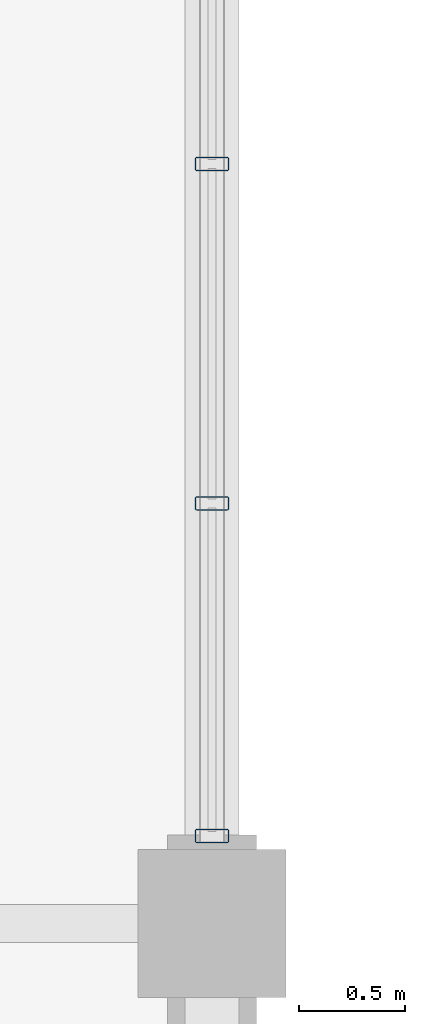
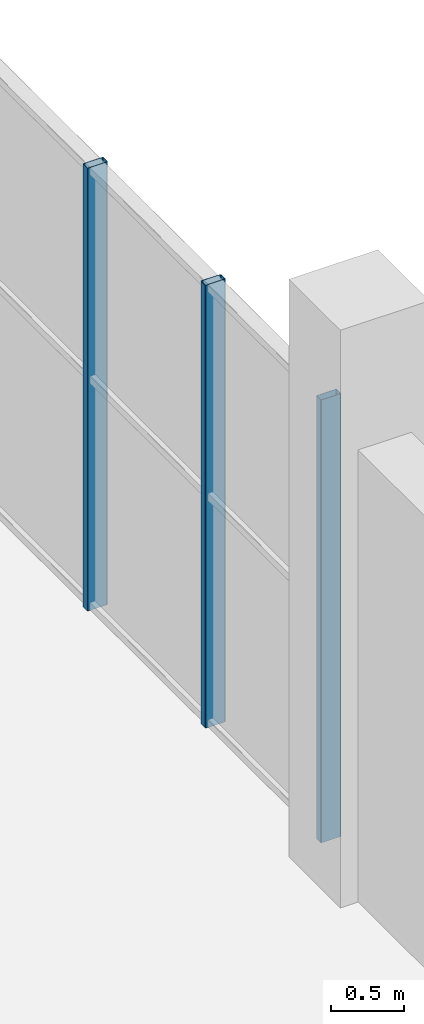
# One storey, part 59 of 114: 3 members, 1 element without a shape of its own.
"""IFC4 building model written with IfcOpenShell, lengths in metres."""

import ifcopenshell
import ifcopenshell.guid

model = None  # the IFC model being written
_history = None  # IfcOwnerHistory: only IFC2X3 demands one
_inside = {}  # id of a spatial element -> (the spatial element, [elements in it])
_under = {}  # id of a project, library or spatial element -> (it, [spatial elements below it])
_declared = {}  # id of a project -> (the project, [libraries it declares])
_typed = {}  # id of a type object -> (the type object, [elements of that type])
_made_of = {}  # id of a material, layer set ... -> (it, [elements and type objects made of it])


def new_model(schema):
    """Start an empty IFC model of exactly this schema.

    Asked for "IFC4X3", IfcOpenShell would pick the latest addendum, in which some entities
    have other attributes; the version numbers below select the first issue.
    IFC2X3 requires an IfcOwnerHistory on every rooted entity: one is made here for all.
    """
    global model, _history
    if schema == "IFC4X3":
        model = ifcopenshell.file(schema_version=(4, 3, 0, 0))
    else:
        model = ifcopenshell.file(schema=schema)
    _inside.clear()
    _under.clear()
    _declared.clear()
    _typed.clear()
    _made_of.clear()
    _history = None
    if model.schema == "IFC2X3":
        org = make("IfcOrganization", Name="unknown")
        user = make(
            "IfcPersonAndOrganization",
            ThePerson=make("IfcPerson", FamilyName="unknown"),
            TheOrganization=org,
        )
        app = make(
            "IfcApplication",
            ApplicationDeveloper=org,
            Version="unknown",
            ApplicationFullName="unknown",
            ApplicationIdentifier="unknown",
        )
        _history = make(
            "IfcOwnerHistory",
            OwningUser=user,
            OwningApplication=app,
            ChangeAction="ADDED",
            CreationDate=0,
        )
    return model


def make(cls, **values):
    """One entity of the class cls with the attributes given. An attribute that is None is left unset."""
    return model.create_entity(
        cls, **{name: value for name, value in values.items() if value is not None}
    )


def rooted(cls, **values):
    """An entity with a GlobalId (a new one), such as an element, a storey or a relation."""
    return make(cls, GlobalId=ifcopenshell.guid.new(), OwnerHistory=_history, **values)


def si_unit(unit_type, name, prefix=None):
    """IfcSIUnit, for example si_unit("LENGTHUNIT", "METRE", prefix="MILLI")."""
    return make("IfcSIUnit", UnitType=unit_type, Prefix=prefix, Name=name)


def assignment(units):
    """IfcUnitAssignment: the units of a project."""
    return None if units is None else make("IfcUnitAssignment", Units=units)


def point(xyz):
    """IfcCartesianPoint."""
    return None if xyz is None else make("IfcCartesianPoint", Coordinates=xyz)


def direction(xyz):
    """IfcDirection."""
    return None if xyz is None else make("IfcDirection", DirectionRatios=xyz)


def frame(location, z_axis=None, x_axis=None):
    """IfcAxis2Placement3D, a coordinate frame: its origin and axes. An axis left out is left unset."""
    return make(
        "IfcAxis2Placement3D",
        Location=point(location),
        Axis=direction(z_axis),
        RefDirection=direction(x_axis),
    )


def frame_2d(location, x_axis=None):
    """IfcAxis2Placement2D, a coordinate frame in the plane: its origin and x axis."""
    return make(
        "IfcAxis2Placement2D", Location=point(location), RefDirection=direction(x_axis)
    )


def origin():
    """The frame at (0, 0, 0) with its axes left unset."""
    return frame((0.0, 0.0, 0.0))


def origin_2d():
    """The frame at (0, 0) in the plane with its x axis left unset."""
    return frame_2d((0.0, 0.0))


def place(relative_to, where):
    """IfcLocalPlacement: puts the frame where relative to a parent placement (None: the world)."""
    return make(
        "IfcLocalPlacement", PlacementRelTo=relative_to, RelativePlacement=where
    )


def context(
    kind, dimensions, precision=None, world=None, true_north=None, identifier=None
):
    """IfcGeometricRepresentationContext, for example the 3D "Model" context."""
    return make(
        "IfcGeometricRepresentationContext",
        ContextIdentifier=identifier,
        ContextType=kind,
        CoordinateSpaceDimension=dimensions,
        Precision=precision,
        WorldCoordinateSystem=world,
        TrueNorth=true_north,
    )


def subcontext(parent, identifier, kind, view, scale=None):
    """IfcGeometricRepresentationSubContext, for example "Body" below "Model"."""
    return make(
        "IfcGeometricRepresentationSubContext",
        ContextIdentifier=identifier,
        ContextType=kind,
        ParentContext=parent,
        TargetScale=scale,
        TargetView=view,
    )


def project(units=None, contexts=None):
    """IfcProject with its units and contexts."""
    return rooted(
        "IfcProject",
        Name="project",
        RepresentationContexts=contexts,
        UnitsInContext=assignment(units),
    )


def spatial(cls, under=None, at=None, **own):
    """A site, building, storey or space (cls), placed at a placement, below another one or the project."""
    s = rooted(cls, ObjectPlacement=at, **own)
    if under is not None:
        _under.setdefault(under.id(), (under, []))[1].append(s)
    return s


def profile(cls, at=None, kind="AREA", **sizes):
    """A parametric profile (cls). Its sizes go by their IFC names, for example OverallWidth=200.0."""
    return make(cls, ProfileType=kind, Position=at, **sizes)


def hollow_rectangle(**sizes):
    """IfcRectangleHollowProfileDef."""
    return profile("IfcRectangleHollowProfileDef", **sizes)


def extrude(swept, where, along, depth):
    """IfcExtrudedAreaSolid: the profile swept, set in the frame where, extruded along a direction by depth."""
    return make(
        "IfcExtrudedAreaSolid",
        SweptArea=swept,
        Position=where,
        ExtrudedDirection=direction(along),
        Depth=depth,
    )


def shape(context_of_items, identifier, shape_type, items):
    """IfcShapeRepresentation: the items that make up one representation, for example the "Body"."""
    return make(
        "IfcShapeRepresentation",
        ContextOfItems=context_of_items,
        RepresentationIdentifier=identifier,
        RepresentationType=shape_type,
        Items=items,
    )


def material(Name=None, Category=None):
    """IfcMaterial."""
    return make("IfcMaterial", Name=Name, Category=Category)


def material_profile(
    of_material, cross_section, Name=None, Category=None, Priority=None
):
    """IfcMaterialProfile: a cross section and its material."""
    return make(
        "IfcMaterialProfile",
        Name=Name,
        Material=of_material,
        Profile=cross_section,
        Priority=Priority,
        Category=Category,
    )


def profile_set(profiles, Name=None, composite=None):
    """IfcMaterialProfileSet."""
    return make(
        "IfcMaterialProfileSet",
        Name=Name,
        MaterialProfiles=profiles,
        CompositeProfile=composite,
    )


def made_of(thing, what):
    """Note that an element or type object is made of a material, layer set ...; save() writes the relation."""
    if what is not None:
        _made_of.setdefault(what.id(), (what, []))[1].append(thing)
    return thing


def type_object(cls, material=None, **own):
    """A type object (cls), such as IfcWallType, which elements share."""
    return made_of(rooted(cls, **own), material)


def element(
    cls,
    number,
    at=None,
    inside=None,
    cuts=None,
    type_object=None,
    material=None,
    context=None,
    identifier="Body",
    shape_type=None,
    held_by="IfcProductDefinitionShape",
    body=None,
    shapes=None,
    **own,
):
    """One element of the class cls, such as IfcWall. Its Tag is "e" and its number.

    at: its placement. inside: the storey or other place that contains it. cuts: it is an
    opening in that element (IfcRelVoidsElement). A single representation is given by context,
    identifier, shape_type and body (its items); several are given by shapes. held_by: the class
    of the entity that holds the representations. save() writes the other relations.
    """
    e = rooted(cls, Tag="e%d" % number, ObjectPlacement=at, **own)
    if body is not None:
        shapes = [shape(context, identifier, shape_type, body)]
    if shapes is not None:
        e.Representation = make(held_by, Representations=shapes)
    if inside is not None:
        _inside.setdefault(inside.id(), (inside, []))[1].append(e)
    if cuts is not None:
        rooted(
            "IfcRelVoidsElement", RelatingBuildingElement=cuts, RelatedOpeningElement=e
        )
    if type_object is not None:
        _typed.setdefault(type_object.id(), (type_object, []))[1].append(e)
    return made_of(e, material)


def aggregate(whole, parts):
    """IfcRelAggregates: a whole, such as a stair, and the parts it consists of."""
    return rooted("IfcRelAggregates", RelatingObject=whole, RelatedObjects=parts)


def save(model, path):
    """Write the relations noted so far, then the file.

    IfcRelAggregates (storeys below a building ...), IfcRelContainedInSpatialStructure (elements
    in a storey), IfcRelDefinesByType, IfcRelAssociatesMaterial and IfcRelDeclares: one each for
    every whole, place, type object, material and project.
    """
    for whole, parts in _under.values():
        aggregate(whole, parts)
    for where, things in _inside.values():
        rooted(
            "IfcRelContainedInSpatialStructure",
            RelatedElements=things,
            RelatingStructure=where,
        )
    for kind, things in _typed.values():
        rooted("IfcRelDefinesByType", RelatedObjects=things, RelatingType=kind)
    for what, things in _made_of.values():
        rooted("IfcRelAssociatesMaterial", RelatedObjects=things, RelatingMaterial=what)
    for by, libraries in _declared.values():
        rooted("IfcRelDeclares", RelatingContext=by, RelatedDefinitions=libraries)
    model.write(path)


model = new_model("IFC4")

# Units and contexts
model_context = context("Model", 3, precision=1e-05, world=origin(), true_north=direction((0.0, 1.0)))
body_context = subcontext(model_context, "Body", "Model", "MODEL_VIEW")
ifc_project = project(units=[si_unit("LENGTHUNIT", "METRE"), si_unit("AREAUNIT", "SQUARE_METRE"), si_unit("VOLUMEUNIT", "CUBIC_METRE"), si_unit("PLANEANGLEUNIT", "RADIAN"), si_unit("MASSUNIT", "GRAM", prefix="KILO")], contexts=[model_context])

# Site, building, storey
site_placement = place(None, origin())
site = spatial("IfcSite", under=ifc_project, at=site_placement, CompositionType="ELEMENT")
building_placement = place(site_placement, origin())
building = spatial("IfcBuilding", under=site, at=building_placement, Name="Verrall Gate Interchange", CompositionType="ELEMENT")
storey_placement = place(building_placement, frame((0.0, 0.0, 6.60009765625)))
storey = spatial("IfcBuildingStorey", under=building, at=storey_placement, Name="L02", CompositionType="ELEMENT", Elevation=6.60009765625)

# Curtain wall, members
ifc_material_1 = material(Name="Thermally Broken Anodized Aluminium Curtain Wall Framing", Category="aluminium")
curtain_wall_type = type_object("IfcCurtainWallType", Name="CW-29 Unitized Curtain Wall 11236x3680", PredefinedType="NOTDEFINED", material=ifc_material_1)
curtain_wall_placement = place(storey_placement, origin())
curtain_wall = element("IfcCurtainWall", 1, at=curtain_wall_placement, inside=storey, type_object=curtain_wall_type, Name="L02 Unitized Curtain Wall CW-L02-102", PredefinedType="NOTDEFINED")
ifc_material_2 = material(Name="Thermally Broken Anodized Aluminium Curtain Wall Framing", Category="aluminium")
ifc_material_profile = material_profile(ifc_material_2, hollow_rectangle(XDim=0.06494140625, YDim=0.159912109375, WallThickness=0.00390625, InnerFilletRadius=0.00390625, OuterFilletRadius=0.008056640625, at=origin_2d()), Name="CWM160x65x4")
ifc_profile_set = profile_set([ifc_material_profile], Name="Thermally Broken Anodized Aluminium Curtain Wall Framing")
member_type = type_object("IfcMemberType", Name="CM-01 Curtain Mullion CWM160x65x4", PredefinedType="MULLION", material=ifc_profile_set)
member_1_placement = place(storey_placement, frame((36.0, 84.41455078125, 0.0), z_axis=(0.0, 0.0, 1.0), x_axis=(0.0, 1.0, 0.0)))
member_1 = element("IfcMember", 2, at=member_1_placement, type_object=member_type, Name="CW-L02-102 Mullion 1", PredefinedType="MULLION", context=body_context, shape_type="SweptSolid", body=[
    extrude(hollow_rectangle(XDim=0.06494140625, YDim=0.159912109375, WallThickness=0.00390625, InnerFilletRadius=0.00390625, OuterFilletRadius=0.008056640625, at=origin_2d()), origin(), (0.0, 0.0, 1.0), 3.679931640625),
])
member_2_placement = place(storey_placement, frame((36.0, 85.987060546875, 0.0), z_axis=(0.0, 0.0, 1.0), x_axis=(0.0, 1.0, 0.0)))
member_2 = element("IfcMember", 3, at=member_2_placement, type_object=member_type, Name="CW-L02-102 Mullion 2", PredefinedType="MULLION", context=body_context, shape_type="SweptSolid", body=[
    extrude(hollow_rectangle(XDim=0.06494140625, YDim=0.159912109375, WallThickness=0.00390625, InnerFilletRadius=0.00390625, OuterFilletRadius=0.008056640625, at=origin_2d()), origin(), (0.0, 0.0, 1.0), 3.679931640625),
])
member_3_placement = place(storey_placement, frame((36.0, 87.59228515625, 0.0), z_axis=(0.0, 0.0, 1.0), x_axis=(0.0, 1.0, 0.0)))
member_3 = element("IfcMember", 4, at=member_3_placement, type_object=member_type, Name="CW-L02-102 Mullion 3", PredefinedType="MULLION", context=body_context, shape_type="SweptSolid", body=[
    extrude(hollow_rectangle(XDim=0.06494140625, YDim=0.159912109375, WallThickness=0.00390625, InnerFilletRadius=0.00390625, OuterFilletRadius=0.008056640625, at=origin_2d()), origin(), (0.0, 0.0, 1.0), 3.679931640625),
])
aggregate(curtain_wall, [member_1, member_2, member_3])

save(model, "model.ifc")
